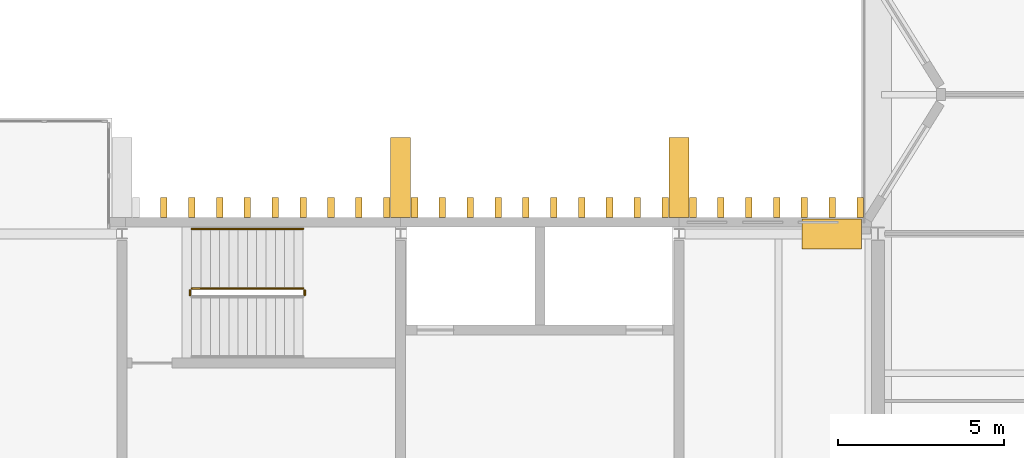
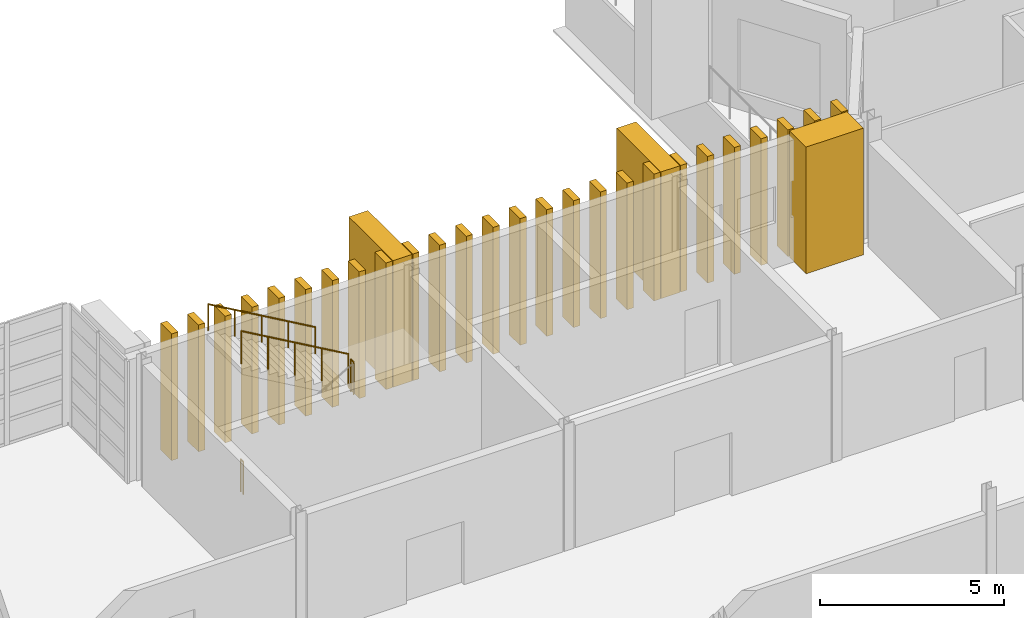
# One storey, part 98 of 100: 29 coverings, 4 railings.
"""IFC4 building model written with IfcOpenShell, lengths in metres."""

from ifc_helpers import new_model, si_unit, direction, frame, origin, origin_2d, place, context, subcontext, project, spatial, rectangle, circle, extrude, material, type_object, element, save


model = new_model("IFC4")

# Units and contexts
model_context = context("Model", 3, precision=1e-05, world=origin(), true_north=direction((0.0, 1.0)))
body_context = subcontext(model_context, "Body", "Model", "MODEL_VIEW")
ifc_project = project(units=[si_unit("LENGTHUNIT", "METRE"), si_unit("AREAUNIT", "SQUARE_METRE"), si_unit("VOLUMEUNIT", "CUBIC_METRE"), si_unit("PLANEANGLEUNIT", "RADIAN"), si_unit("MASSUNIT", "GRAM", prefix="KILO")], contexts=[model_context])

# Site, building, storey
site_placement = place(None, origin())
site = spatial("IfcSite", under=ifc_project, at=site_placement, CompositionType="ELEMENT")
building_placement = place(site_placement, origin())
building = spatial("IfcBuilding", under=site, at=building_placement, Name="Cresset Court Congress Hotel", CompositionType="ELEMENT")
storey_placement = place(building_placement, frame((0.0, 0.0, 10.199951171875)))
storey = spatial("IfcBuildingStorey", under=building, at=storey_placement, Name="L02", CompositionType="ELEMENT", Elevation=10.199951171875)

# Railings
ifc_material_1 = material(Name="Steel and laminated glass", Category="steel")
railing_type_1 = type_object("IfcRailingType", Name="Guard 1100 steel and glass", PredefinedType="GUARDRAIL", material=ifc_material_1)
railing_1_placement = place(storey_placement, frame((139.909912109375, 23.35009765625, 2.10009765625)))
element("IfcRailing", 1, at=railing_1_placement, inside=storey, type_object=railing_type_1, Name="L02 ST-B5 stair guard 2", PredefinedType="GUARDRAIL", context=body_context, shape_type="SweptSolid", body=[
    extrude(circle(Radius=0.02392578125, at=origin_2d()), frame((0.0, 0.0, 1.076171875), z_axis=(0.0, 1.0, 0.0), x_axis=(-1.0, 0.0, 0.0)), (0.0, 0.0, 1.0), 0.14990234375),
    extrude(circle(Radius=0.02099609375, at=origin_2d()), origin(), (0.0, 0.0, 1.0), 1.052001953125),
    extrude(circle(Radius=0.02099609375, at=origin_2d()), frame((0.0, 0.14990234375, 0.0)), (0.0, 0.0, 1.0), 1.052001953125),
])
railing_2_placement = place(storey_placement, frame((139.860107421875, 23.550048828125, 2.261474609375)))
element("IfcRailing", 2, at=railing_2_placement, inside=storey, type_object=railing_type_1, Name="L02 ST-B5 stair guard 3", PredefinedType="GUARDRAIL", context=body_context, shape_type="SweptSolid", body=[
    extrude(circle(Radius=0.02392578125, at=origin_2d()), frame((0.0, 0.0, 1.076171875), z_axis=(-0.866190824863, 0.0, 0.499713372768), x_axis=(0.0, -1.0, 0.0)), (0.0, 0.0, 1.0), 3.879150390625),
    extrude(circle(Radius=0.02099609375, at=origin_2d()), origin(), (0.0, 0.0, 1.0), 1.052001953125),
    extrude(circle(Radius=0.02099609375, at=origin_2d()), frame((-0.840087890625, 0.0, 0.484619140625)), (0.0, 0.0, 1.0), 1.052001953125),
    extrude(circle(Radius=0.02099609375, at=origin_2d()), frame((-1.68017578125, 0.0, 0.96923828125)), (0.0, 0.0, 1.0), 1.052001953125),
    extrude(circle(Radius=0.02099609375, at=origin_2d()), frame((-2.52001953125, 0.0, 1.453857421875)), (0.0, 0.0, 1.0), 1.052001953125),
    extrude(circle(Radius=0.02099609375, at=origin_2d()), frame((-3.360107421875, 0.0, 1.9384765625)), (0.0, 0.0, 1.0), 1.052001953125),
])
railing_3_placement = place(storey_placement, frame((136.449951171875, 23.35009765625, 0.0)))
element("IfcRailing", 3, at=railing_3_placement, inside=storey, type_object=railing_type_1, Name="L02 ST-B5 stair guard 4", PredefinedType="GUARDRAIL", context=body_context, shape_type="SweptSolid", body=[
    extrude(circle(Radius=0.02392578125, at=origin_2d()), frame((0.0, 0.0, 1.076171875), z_axis=(0.0, 1.0, 0.0), x_axis=(-1.0, 0.0, 0.0)), (0.0, 0.0, 1.0), 0.14990234375),
    extrude(circle(Radius=0.02099609375, at=origin_2d()), origin(), (0.0, 0.0, 1.0), 1.052001953125),
    extrude(circle(Radius=0.02099609375, at=origin_2d()), frame((0.0, 0.14990234375, 0.0)), (0.0, 0.0, 1.0), 1.052001953125),
])
ifc_material_2 = material(Name="Stainless steel", Category="steel")
railing_type_2 = type_object("IfcRailingType", Name="Handrail 48 stainless", PredefinedType="HANDRAIL", material=ifc_material_2)
railing_4_placement = place(storey_placement, frame((139.860107421875, 25.35009765625, 2.261474609375)))
element("IfcRailing", 4, at=railing_4_placement, inside=storey, type_object=railing_type_2, Name="L02 ST-B5 stair handrail 2", PredefinedType="HANDRAIL", context=body_context, shape_type="SweptSolid", body=[
    extrude(circle(Radius=0.02392578125, at=origin_2d()), frame((0.0, 0.0, 0.8759765625), z_axis=(-0.866190824863, 0.0, 0.499713372768), x_axis=(0.0, -1.0, 0.0)), (0.0, 0.0, 1.0), 3.879150390625),
    extrude(circle(Radius=0.02099609375, at=origin_2d()), origin(), (0.0, 0.0, 1.0), 0.851806640625),
    extrude(circle(Radius=0.02099609375, at=origin_2d()), frame((-0.840087890625, 0.0, 0.484619140625)), (0.0, 0.0, 1.0), 0.851806640625),
    extrude(circle(Radius=0.02099609375, at=origin_2d()), frame((-1.68017578125, 0.0, 0.96923828125)), (0.0, 0.0, 1.0), 0.851806640625),
    extrude(circle(Radius=0.02099609375, at=origin_2d()), frame((-2.52001953125, 0.0, 1.453857421875)), (0.0, 0.0, 1.0), 0.851806640625),
    extrude(circle(Radius=0.02099609375, at=origin_2d()), frame((-3.360107421875, 0.0, 1.9384765625)), (0.0, 0.0, 1.0), 0.851806640625),
])

# Coverings
ifc_material_3 = material(Name="Precast concrete C50", Category="concrete")
covering_type_1 = type_object("IfcCoveringType", Name="Precast stone fin 200x600 variant 1", PredefinedType="CLADDING", material=ifc_material_3)
for number, where, z_axis, x_axis, name in (
    (5, (135.659912109375, 26.0, 0.0), (0.0, 0.0, 1.0), (1.0, 0.0, 0.0), "Fin N02-151"),
    (6, (136.5, 26.0, 0.0), (0.0, 0.0, 1.0), (1.0, 0.0, 0.0), "Fin N02-152"),
    (7, (137.340087890625, 26.0, 0.0), (0.0, 0.0, 1.0), (1.0, 0.0, 0.0), "Fin N02-153"),
    (8, (138.179931640625, 26.0, 0.0), (0.0, 0.0, 1.0), (1.0, 0.0, 0.0), "Fin N02-154"),
    (9, (139.02001953125, 26.0, 0.0), (0.0, 0.0, 1.0), (1.0, 0.0, 0.0), "Fin N02-155"),
    (10, (139.860107421875, 26.0, 0.0), (0.0, 0.0, 1.0), (1.0, 0.0, 0.0), "Fin N02-156"),
    (11, (140.699951171875, 26.0, 0.0), (0.0, 0.0, 1.0), (1.0, 0.0, 0.0), "Fin N02-157"),
    (12, (141.5400390625, 26.0, 0.0), (0.0, 0.0, 1.0), (1.0, 0.0, 0.0), "Fin N02-158"),
    (13, (142.3798828125, 26.0, 0.0), (0.0, 0.0, 1.0), (1.0, 0.0, 0.0), "Fin N02-159"),
    (14, (143.219970703125, 26.0, 0.0), (0.0, 0.0, 1.0), (1.0, 0.0, 0.0), "Fin N02-160"),
    (15, (144.06005859375, 26.0, 0.0), (0.0, 0.0, 1.0), (1.0, 0.0, 0.0), "Fin N02-161"),
    (16, (144.89990234375, 26.0, 0.0), (0.0, 0.0, 1.0), (1.0, 0.0, 0.0), "Fin N02-162"),
    (17, (145.739990234375, 26.0, 0.0), (0.0, 0.0, 1.0), (1.0, 0.0, 0.0), "Fin N02-163"),
    (18, (146.580078125, 26.0, 0.0), (0.0, 0.0, 1.0), (1.0, 0.0, 0.0), "Fin N02-164"),
    (19, (147.419921875, 26.0, 0.0), (0.0, 0.0, 1.0), (1.0, 0.0, 0.0), "Fin N02-165"),
    (20, (148.260009765625, 26.0, 0.0), (0.0, 0.0, 1.0), (1.0, 0.0, 0.0), "Fin N02-166"),
    (21, (149.10009765625, 26.0, 0.0), (0.0, 0.0, 1.0), (1.0, 0.0, 0.0), "Fin N02-167"),
    (22, (149.93994140625, 26.0, 0.0), (0.0, 0.0, 1.0), (1.0, 0.0, 0.0), "Fin N02-168"),
    (23, (150.780029296875, 26.0, 0.0), (0.0, 0.0, 1.0), (1.0, 0.0, 0.0), "Fin N02-169"),
    (24, (151.6201171875, 26.0, 0.0), (0.0, 0.0, 1.0), (1.0, 0.0, 0.0), "Fin N02-170"),
    (25, (152.4599609375, 26.0, 0.0), (0.0, 0.0, 1.0), (1.0, 0.0, 0.0), "Fin N02-171"),
    (26, (153.300048828125, 26.0, 0.0), (0.0, 0.0, 1.0), (1.0, 0.0, 0.0), "Fin N02-172"),
    (27, (154.139892578125, 26.0, 0.0), (0.0, 0.0, 1.0), (1.0, 0.0, 0.0), "Fin N02-173"),
    (28, (154.97998046875, 26.0, 0.0), (0.0, 0.0, 1.0), (1.0, 0.0, 0.0), "Fin N02-174"),
    (29, (155.820068359375, 26.0, 0.0), (0.0, 0.0, 1.0), (1.0, 0.0, 0.0), "Fin N02-175"),
    (30, (156.659912109375, 26.0, 0.0), (0.0, 0.0, 1.0), (1.0, 0.0, 0.0), "Fin N02-176"),
):
    element("IfcCovering", number, at=place(storey_placement, frame(where, z_axis=z_axis, x_axis=x_axis)), inside=storey, type_object=covering_type_1, Name=name, PredefinedType="CLADDING", context=body_context, shape_type="SweptSolid", body=[
        extrude(rectangle(XDim=0.199951171875, YDim=0.60009765625, at=origin_2d()), origin(), (0.0, 0.0, 1.0), 4.199951171875),
    ])
ifc_material_4 = material(Name="Precast concrete C50", Category="concrete")
covering_type_2 = type_object("IfcCoveringType", Name="Precast stone pier 600x2400", PredefinedType="CLADDING", material=ifc_material_4)
for number, where, z_axis, x_axis, name in (
    (31, (142.800048828125, 26.89990234375, 0.0), (0.0, 0.0, 1.0), (1.0, 0.0, 0.0), "Pier N02-16"),
    (32, (151.199951171875, 26.89990234375, 0.0), (0.0, 0.0, 1.0), (1.0, 0.0, 0.0), "Pier N02-17"),
):
    element("IfcCovering", number, at=place(storey_placement, frame(where, z_axis=z_axis, x_axis=x_axis)), inside=storey, type_object=covering_type_2, Name=name, PredefinedType="CLADDING", context=body_context, shape_type="SweptSolid", body=[
        extrude(rectangle(XDim=0.60009765625, YDim=2.39990234375, at=origin_2d()), origin(), (0.0, 0.0, 1.0), 4.199951171875),
    ])
ifc_material_5 = material(Name="Precast concrete C50", Category="concrete")
covering_type_3 = type_object("IfcCoveringType", Name="Precast stone pier 900x1800", PredefinedType="CLADDING", material=ifc_material_5)
covering_placement = place(storey_placement, frame((155.800048828125, 25.199951171875, 0.0), z_axis=(0.0, 0.0, 1.0), x_axis=(1.0, 0.0, 0.0)))
element("IfcCovering", 33, at=covering_placement, inside=storey, type_object=covering_type_3, Name="Pier W04", PredefinedType="CLADDING", context=body_context, shape_type="SweptSolid", body=[
    extrude(rectangle(XDim=1.800048828125, YDim=0.89990234375, at=origin_2d()), origin(), (0.0, 0.0, 1.0), 4.199951171875),
])

save(model, "model.ifc")
